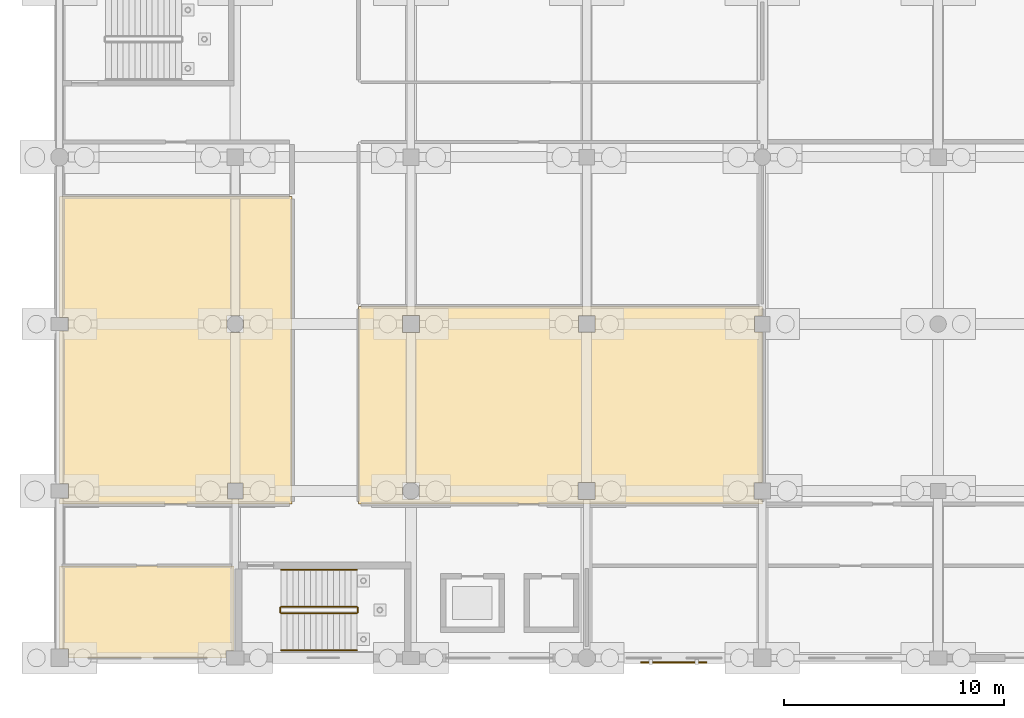
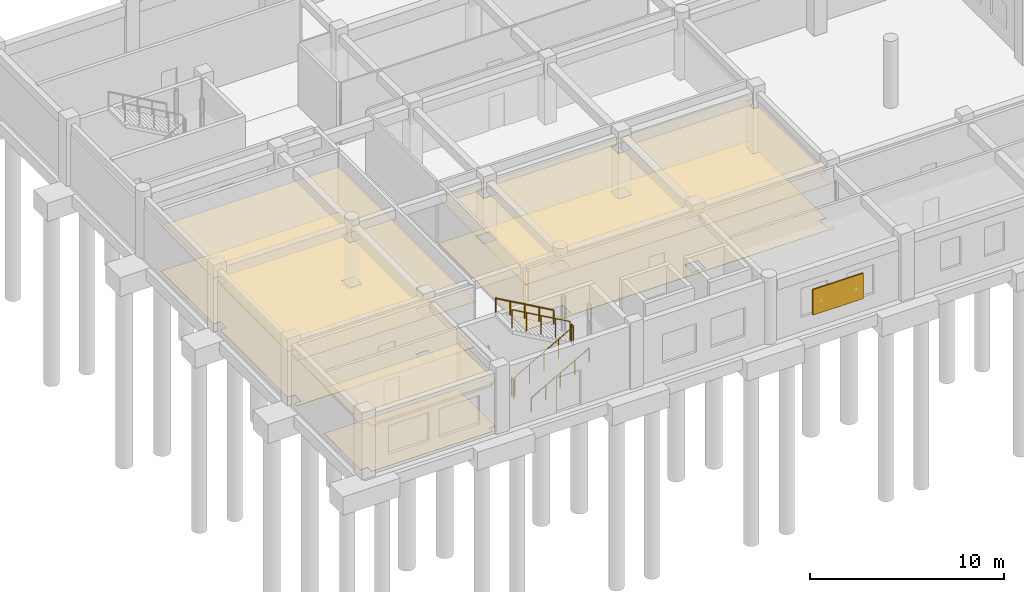
# One storey, part 8 of 11: 6 coverings, 6 railings, 1 shading device.
"""IFC4 building model written with IfcOpenShell, lengths in metres."""

import ifcopenshell
import ifcopenshell.guid

model = None  # the IFC model being written
_history = None  # IfcOwnerHistory: only IFC2X3 demands one
_inside = {}  # id of a spatial element -> (the spatial element, [elements in it])
_under = {}  # id of a project, library or spatial element -> (it, [spatial elements below it])
_declared = {}  # id of a project -> (the project, [libraries it declares])
_typed = {}  # id of a type object -> (the type object, [elements of that type])
_made_of = {}  # id of a material, layer set ... -> (it, [elements and type objects made of it])


def new_model(schema):
    """Start an empty IFC model of exactly this schema.

    Asked for "IFC4X3", IfcOpenShell would pick the latest addendum, in which some entities
    have other attributes; the version numbers below select the first issue.
    IFC2X3 requires an IfcOwnerHistory on every rooted entity: one is made here for all.
    """
    global model, _history
    if schema == "IFC4X3":
        model = ifcopenshell.file(schema_version=(4, 3, 0, 0))
    else:
        model = ifcopenshell.file(schema=schema)
    _inside.clear()
    _under.clear()
    _declared.clear()
    _typed.clear()
    _made_of.clear()
    _history = None
    if model.schema == "IFC2X3":
        org = make("IfcOrganization", Name="unknown")
        user = make(
            "IfcPersonAndOrganization",
            ThePerson=make("IfcPerson", FamilyName="unknown"),
            TheOrganization=org,
        )
        app = make(
            "IfcApplication",
            ApplicationDeveloper=org,
            Version="unknown",
            ApplicationFullName="unknown",
            ApplicationIdentifier="unknown",
        )
        _history = make(
            "IfcOwnerHistory",
            OwningUser=user,
            OwningApplication=app,
            ChangeAction="ADDED",
            CreationDate=0,
        )
    return model


def make(cls, **values):
    """One entity of the class cls with the attributes given. An attribute that is None is left unset."""
    return model.create_entity(
        cls, **{name: value for name, value in values.items() if value is not None}
    )


def rooted(cls, **values):
    """An entity with a GlobalId (a new one), such as an element, a storey or a relation."""
    return make(cls, GlobalId=ifcopenshell.guid.new(), OwnerHistory=_history, **values)


def si_unit(unit_type, name, prefix=None):
    """IfcSIUnit, for example si_unit("LENGTHUNIT", "METRE", prefix="MILLI")."""
    return make("IfcSIUnit", UnitType=unit_type, Prefix=prefix, Name=name)


def assignment(units):
    """IfcUnitAssignment: the units of a project."""
    return None if units is None else make("IfcUnitAssignment", Units=units)


def point(xyz):
    """IfcCartesianPoint."""
    return None if xyz is None else make("IfcCartesianPoint", Coordinates=xyz)


def direction(xyz):
    """IfcDirection."""
    return None if xyz is None else make("IfcDirection", DirectionRatios=xyz)


def frame(location, z_axis=None, x_axis=None):
    """IfcAxis2Placement3D, a coordinate frame: its origin and axes. An axis left out is left unset."""
    return make(
        "IfcAxis2Placement3D",
        Location=point(location),
        Axis=direction(z_axis),
        RefDirection=direction(x_axis),
    )


def frame_2d(location, x_axis=None):
    """IfcAxis2Placement2D, a coordinate frame in the plane: its origin and x axis."""
    return make(
        "IfcAxis2Placement2D", Location=point(location), RefDirection=direction(x_axis)
    )


def origin():
    """The frame at (0, 0, 0) with its axes left unset."""
    return frame((0.0, 0.0, 0.0))


def origin_2d():
    """The frame at (0, 0) in the plane with its x axis left unset."""
    return frame_2d((0.0, 0.0))


def place(relative_to, where):
    """IfcLocalPlacement: puts the frame where relative to a parent placement (None: the world)."""
    return make(
        "IfcLocalPlacement", PlacementRelTo=relative_to, RelativePlacement=where
    )


def context(
    kind, dimensions, precision=None, world=None, true_north=None, identifier=None
):
    """IfcGeometricRepresentationContext, for example the 3D "Model" context."""
    return make(
        "IfcGeometricRepresentationContext",
        ContextIdentifier=identifier,
        ContextType=kind,
        CoordinateSpaceDimension=dimensions,
        Precision=precision,
        WorldCoordinateSystem=world,
        TrueNorth=true_north,
    )


def subcontext(parent, identifier, kind, view, scale=None):
    """IfcGeometricRepresentationSubContext, for example "Body" below "Model"."""
    return make(
        "IfcGeometricRepresentationSubContext",
        ContextIdentifier=identifier,
        ContextType=kind,
        ParentContext=parent,
        TargetScale=scale,
        TargetView=view,
    )


def project(units=None, contexts=None):
    """IfcProject with its units and contexts."""
    return rooted(
        "IfcProject",
        Name="project",
        RepresentationContexts=contexts,
        UnitsInContext=assignment(units),
    )


def spatial(cls, under=None, at=None, **own):
    """A site, building, storey or space (cls), placed at a placement, below another one or the project."""
    s = rooted(cls, ObjectPlacement=at, **own)
    if under is not None:
        _under.setdefault(under.id(), (under, []))[1].append(s)
    return s


def polyline(points):
    """IfcPolyline through the points."""
    return make("IfcPolyline", Points=[point(p) for p in points])


def profile(cls, at=None, kind="AREA", **sizes):
    """A parametric profile (cls). Its sizes go by their IFC names, for example OverallWidth=200.0."""
    return make(cls, ProfileType=kind, Position=at, **sizes)


def rectangle(**sizes):
    """IfcRectangleProfileDef."""
    return profile("IfcRectangleProfileDef", **sizes)


def circle(**sizes):
    """IfcCircleProfileDef."""
    return profile("IfcCircleProfileDef", **sizes)


def outline(outer, holes=None, kind="AREA"):
    """IfcArbitraryClosedProfileDef: a profile drawn as a closed curve; with holes, ...WithVoids."""
    if holes is None:
        return make("IfcArbitraryClosedProfileDef", ProfileType=kind, OuterCurve=outer)
    return make(
        "IfcArbitraryProfileDefWithVoids",
        ProfileType=kind,
        OuterCurve=outer,
        InnerCurves=holes,
    )


def extrude(swept, where, along, depth):
    """IfcExtrudedAreaSolid: the profile swept, set in the frame where, extruded along a direction by depth."""
    return make(
        "IfcExtrudedAreaSolid",
        SweptArea=swept,
        Position=where,
        ExtrudedDirection=direction(along),
        Depth=depth,
    )


def shape(context_of_items, identifier, shape_type, items):
    """IfcShapeRepresentation: the items that make up one representation, for example the "Body"."""
    return make(
        "IfcShapeRepresentation",
        ContextOfItems=context_of_items,
        RepresentationIdentifier=identifier,
        RepresentationType=shape_type,
        Items=items,
    )


def material(Name=None, Category=None):
    """IfcMaterial."""
    return make("IfcMaterial", Name=Name, Category=Category)


def layer(
    of_material, thickness, ventilated=None, Name=None, Category=None, Priority=None
):
    """IfcMaterialLayer: one layer of a wall or slab, of a material (None: an air gap)."""
    return make(
        "IfcMaterialLayer",
        Material=of_material,
        LayerThickness=thickness,
        IsVentilated=ventilated,
        Name=Name,
        Category=Category,
        Priority=Priority,
    )


def layer_set(layers, Name=None):
    """IfcMaterialLayerSet."""
    return make("IfcMaterialLayerSet", MaterialLayers=layers, LayerSetName=Name)


def made_of(thing, what):
    """Note that an element or type object is made of a material, layer set ...; save() writes the relation."""
    if what is not None:
        _made_of.setdefault(what.id(), (what, []))[1].append(thing)
    return thing


def type_object(cls, material=None, **own):
    """A type object (cls), such as IfcWallType, which elements share."""
    return made_of(rooted(cls, **own), material)


def element(
    cls,
    number,
    at=None,
    inside=None,
    cuts=None,
    type_object=None,
    material=None,
    context=None,
    identifier="Body",
    shape_type=None,
    held_by="IfcProductDefinitionShape",
    body=None,
    shapes=None,
    **own,
):
    """One element of the class cls, such as IfcWall. Its Tag is "e" and its number.

    at: its placement. inside: the storey or other place that contains it. cuts: it is an
    opening in that element (IfcRelVoidsElement). A single representation is given by context,
    identifier, shape_type and body (its items); several are given by shapes. held_by: the class
    of the entity that holds the representations. save() writes the other relations.
    """
    e = rooted(cls, Tag="e%d" % number, ObjectPlacement=at, **own)
    if body is not None:
        shapes = [shape(context, identifier, shape_type, body)]
    if shapes is not None:
        e.Representation = make(held_by, Representations=shapes)
    if inside is not None:
        _inside.setdefault(inside.id(), (inside, []))[1].append(e)
    if cuts is not None:
        rooted(
            "IfcRelVoidsElement", RelatingBuildingElement=cuts, RelatedOpeningElement=e
        )
    if type_object is not None:
        _typed.setdefault(type_object.id(), (type_object, []))[1].append(e)
    return made_of(e, material)


def aggregate(whole, parts):
    """IfcRelAggregates: a whole, such as a stair, and the parts it consists of."""
    return rooted("IfcRelAggregates", RelatingObject=whole, RelatedObjects=parts)


def save(model, path):
    """Write the relations noted so far, then the file.

    IfcRelAggregates (storeys below a building ...), IfcRelContainedInSpatialStructure (elements
    in a storey), IfcRelDefinesByType, IfcRelAssociatesMaterial and IfcRelDeclares: one each for
    every whole, place, type object, material and project.
    """
    for whole, parts in _under.values():
        aggregate(whole, parts)
    for where, things in _inside.values():
        rooted(
            "IfcRelContainedInSpatialStructure",
            RelatedElements=things,
            RelatingStructure=where,
        )
    for kind, things in _typed.values():
        rooted("IfcRelDefinesByType", RelatedObjects=things, RelatingType=kind)
    for what, things in _made_of.values():
        rooted("IfcRelAssociatesMaterial", RelatedObjects=things, RelatingMaterial=what)
    for by, libraries in _declared.values():
        rooted("IfcRelDeclares", RelatingContext=by, RelatedDefinitions=libraries)
    model.write(path)


model = new_model("IFC4")

# Units and contexts
model_context = context("Model", 3, precision=1e-05, world=origin(), true_north=direction((0.0, 1.0)))
body_context = subcontext(model_context, "Body", "Model", "MODEL_VIEW")
ifc_project = project(units=[si_unit("LENGTHUNIT", "METRE"), si_unit("AREAUNIT", "SQUARE_METRE"), si_unit("VOLUMEUNIT", "CUBIC_METRE"), si_unit("PLANEANGLEUNIT", "RADIAN"), si_unit("MASSUNIT", "GRAM", prefix="KILO")], contexts=[model_context])

# Site, building, storey
site_placement = place(None, origin())
site = spatial("IfcSite", under=ifc_project, at=site_placement, CompositionType="ELEMENT")
building_placement = place(site_placement, origin())
building = spatial("IfcBuilding", under=site, at=building_placement, Name="Kharva Crest Polytechnic", CompositionType="ELEMENT")
storey_placement = place(building_placement, frame((0.0, 0.0, -4.199951171875)))
storey = spatial("IfcBuildingStorey", under=building, at=storey_placement, Name="LG", CompositionType="ELEMENT", Elevation=-4.199951171875)

# Coverings
ifc_material_1 = material(Name="Acoustic mineral board")
ifc_layer_1 = layer(ifc_material_1, 0.02490234375, Name="Acoustic mineral board")
ifc_layer_set_1 = layer_set([ifc_layer_1], Name="Acoustic mineral board")
covering_type_1 = type_object("IfcCoveringType", Name="COV-CLG-ACOUSTIC", PredefinedType="CEILING", material=ifc_layer_set_1)
covering_1_placement = place(storey_placement, frame((0.0, 0.0, 2.849853515625)))
element("IfcCovering", 1, at=covering_1_placement, inside=storey, type_object=covering_type_1, Name="LG Cold Storage Room Acoustic Ceiling", PredefinedType="CEILING", context=body_context, shape_type="SweptSolid", body=[
    extrude(outline(polyline([(121.2099609375, 0.409912109375), (120.800048828125, 0.409912109375), (120.800048828125, 4.18994140625), (128.75, 4.18994140625), (128.75, 0.3349609375), (128.389892578125, 0.3349609375), (128.389892578125, 0.0), (121.2099609375, 0.0), (121.2099609375, 0.409912109375)])), origin(), (0.0, 0.0, 1.0), 0.025146484375),
])
covering_2_placement = place(storey_placement, frame((0.0, 0.0, 2.849853515625)))
element("IfcCovering", 2, at=covering_2_placement, inside=storey, type_object=covering_type_1, Name="LG Commercial Kitchen Acoustic Ceiling", PredefinedType="CEILING", context=body_context, shape_type="SweptSolid", body=[
    extrude(outline(polyline([(120.800048828125, 7.264892578125), (121.2099609375, 7.264892578125), (121.2099609375, 7.93505859375), (120.800048828125, 7.93505859375), (120.800048828125, 14.889892578125), (121.199951171875, 14.889892578125), (121.199951171875, 15.510009765625), (120.800048828125, 15.510009765625), (120.800048828125, 21.0), (131.389892578125, 21.0), (131.389892578125, 7.010009765625), (120.800048828125, 7.010009765625), (120.800048828125, 7.264892578125)]), holes=[polyline([(129.159912109375, 7.239990234375), (129.159912109375, 7.9599609375), (128.43994140625, 7.9599609375), (128.43994140625, 7.239990234375), (129.159912109375, 7.239990234375)]), polyline([(129.18505859375, 15.5849609375), (128.4150390625, 15.5849609375), (128.4150390625, 14.81494140625), (129.18505859375, 14.81494140625), (129.18505859375, 15.5849609375)])]), origin(), (0.0, 0.0, 1.0), 0.025146484375),
])
covering_3_placement = place(storey_placement, frame((0.0, 0.0, 2.849853515625)))
element("IfcCovering", 3, at=covering_3_placement, inside=storey, type_object=covering_type_1, Name="LG Equipment Store LG Acoustic Ceiling", PredefinedType="CEILING", context=body_context, shape_type="SweptSolid", body=[
    extrude(outline(polyline([(152.800048828125, 16.0), (152.800048828125, 15.56005859375), (152.43994140625, 15.56005859375), (152.43994140625, 14.840087890625), (152.800048828125, 14.840087890625), (152.800048828125, 7.97998046875), (152.419921875, 7.97998046875), (152.419921875, 7.219970703125), (152.800048828125, 7.219970703125), (152.800048828125, 7.010009765625), (134.409912109375, 7.010009765625), (134.409912109375, 16.0), (152.800048828125, 16.0)]), holes=[polyline([(137.18505859375, 7.215087890625), (137.18505859375, 7.985107421875), (136.4150390625, 7.985107421875), (136.4150390625, 7.215087890625), (137.18505859375, 7.215087890625)]), polyline([(145.18994140625, 7.2099609375), (145.18994140625, 7.989990234375), (144.409912109375, 7.989990234375), (144.409912109375, 7.2099609375), (145.18994140625, 7.2099609375)]), polyline([(137.18994140625, 15.590087890625), (136.409912109375, 15.590087890625), (136.409912109375, 14.81005859375), (137.18994140625, 14.81005859375), (137.18994140625, 15.590087890625)]), polyline([(145.179931640625, 15.580078125), (144.419921875, 15.580078125), (144.419921875, 14.820068359375), (145.179931640625, 14.820068359375), (145.179931640625, 15.580078125)])]), origin(), (0.0, 0.0, 1.0), 0.025146484375),
])
ifc_material_2 = material(Name="Terrazzo tile")
ifc_layer_2 = layer(ifc_material_2, 0.02001953125, Name="Terrazzo tile")
ifc_layer_set_2 = layer_set([ifc_layer_2], Name="Terrazzo tile")
covering_type_2 = type_object("IfcCoveringType", Name="COV-FLR-TERRAZZO", PredefinedType="FLOORING", material=ifc_layer_set_2)
covering_4_placement = place(storey_placement, origin())
element("IfcCovering", 4, at=covering_4_placement, inside=storey, type_object=covering_type_2, Name="LG Cold Storage Room Terrazzo Flooring", PredefinedType="FLOORING", context=body_context, shape_type="SweptSolid", body=[
    extrude(outline(polyline([(121.2099609375, 0.409912109375), (120.800048828125, 0.409912109375), (120.800048828125, 4.18994140625), (128.75, 4.18994140625), (128.75, 0.3349609375), (128.389892578125, 0.3349609375), (128.389892578125, 0.0), (121.2099609375, 0.0), (121.2099609375, 0.409912109375)])), origin(), (0.0, 0.0, 1.0), 0.02001953125),
])
covering_5_placement = place(storey_placement, origin())
element("IfcCovering", 5, at=covering_5_placement, inside=storey, type_object=covering_type_2, Name="LG Commercial Kitchen Terrazzo Flooring", PredefinedType="FLOORING", context=body_context, shape_type="SweptSolid", body=[
    extrude(outline(polyline([(120.800048828125, 7.264892578125), (121.2099609375, 7.264892578125), (121.2099609375, 7.93505859375), (120.800048828125, 7.93505859375), (120.800048828125, 14.889892578125), (121.199951171875, 14.889892578125), (121.199951171875, 15.510009765625), (120.800048828125, 15.510009765625), (120.800048828125, 21.0), (131.389892578125, 21.0), (131.389892578125, 7.010009765625), (120.800048828125, 7.010009765625), (120.800048828125, 7.264892578125)]), holes=[polyline([(129.159912109375, 7.239990234375), (129.159912109375, 7.9599609375), (128.43994140625, 7.9599609375), (128.43994140625, 7.239990234375), (129.159912109375, 7.239990234375)]), polyline([(129.18505859375, 15.5849609375), (128.4150390625, 15.5849609375), (128.4150390625, 14.81494140625), (129.18505859375, 14.81494140625), (129.18505859375, 15.5849609375)])]), origin(), (0.0, 0.0, 1.0), 0.02001953125),
])
covering_6_placement = place(storey_placement, origin())
element("IfcCovering", 6, at=covering_6_placement, inside=storey, type_object=covering_type_2, Name="LG Equipment Store LG Terrazzo Flooring", PredefinedType="FLOORING", context=body_context, shape_type="SweptSolid", body=[
    extrude(outline(polyline([(152.800048828125, 16.0), (152.800048828125, 15.56005859375), (152.43994140625, 15.56005859375), (152.43994140625, 14.840087890625), (152.800048828125, 14.840087890625), (152.800048828125, 7.97998046875), (152.419921875, 7.97998046875), (152.419921875, 7.219970703125), (152.800048828125, 7.219970703125), (152.800048828125, 7.010009765625), (134.409912109375, 7.010009765625), (134.409912109375, 16.0), (152.800048828125, 16.0)]), holes=[polyline([(137.18505859375, 7.215087890625), (137.18505859375, 7.985107421875), (136.4150390625, 7.985107421875), (136.4150390625, 7.215087890625), (137.18505859375, 7.215087890625)]), polyline([(145.18994140625, 7.2099609375), (145.18994140625, 7.989990234375), (144.409912109375, 7.989990234375), (144.409912109375, 7.2099609375), (145.18994140625, 7.2099609375)]), polyline([(137.18994140625, 15.590087890625), (136.409912109375, 15.590087890625), (136.409912109375, 14.81005859375), (137.18994140625, 14.81005859375), (137.18994140625, 15.590087890625)]), polyline([(145.179931640625, 15.580078125), (144.419921875, 15.580078125), (144.419921875, 14.820068359375), (145.179931640625, 14.820068359375), (145.179931640625, 15.580078125)])]), origin(), (0.0, 0.0, 1.0), 0.02001953125),
])

# Railings
ifc_material_3 = material(Name="Anodised aluminium", Category="aluminium")
railing_type_1 = type_object("IfcRailingType", Name="RL-STAIR-GUARD-1200", PredefinedType="GUARDRAIL", material=ifc_material_3)
railing_1_placement = place(storey_placement, frame((130.889892578125, 2.030029296875, 0.14990234375)))
element("IfcRailing", 7, at=railing_1_placement, inside=storey, type_object=railing_type_1, Name="LG ST-06 stair guard 1", PredefinedType="GUARDRAIL", context=body_context, shape_type="SweptSolid", body=[
    extrude(circle(Radius=0.02392578125, at=origin_2d()), frame((0.0, 0.0, 1.17578125), z_axis=(0.870266332817, 0.0, 0.492581475459), x_axis=(0.0, 1.0, 0.0)), (0.0, 0.0, 1.0), 3.958740234375),
    extrude(circle(Radius=0.02099609375, at=origin_2d()), origin(), (0.0, 0.0, 1.0), 1.15185546875),
    extrude(circle(Radius=0.02099609375, at=origin_2d()), frame((0.861328125, 0.0, 0.487548828125)), (0.0, 0.0, 1.0), 1.15185546875),
    extrude(circle(Radius=0.02099609375, at=origin_2d()), frame((1.72265625, 0.0, 0.97509765625)), (0.0, 0.0, 1.0), 1.15185546875),
    extrude(circle(Radius=0.02099609375, at=origin_2d()), frame((2.583740234375, 0.0, 1.46240234375)), (0.0, 0.0, 1.0), 1.15185546875),
    extrude(circle(Radius=0.02099609375, at=origin_2d()), frame((3.445068359375, 0.0, 1.949951171875)), (0.0, 0.0, 1.0), 1.15185546875),
])
railing_2_placement = place(storey_placement, frame((134.385009765625, 2.080078125, 2.099853515625)))
element("IfcRailing", 8, at=railing_2_placement, inside=storey, type_object=railing_type_1, Name="LG ST-06 stair guard 2", PredefinedType="GUARDRAIL", context=body_context, shape_type="SweptSolid", body=[
    extrude(circle(Radius=0.02392578125, at=origin_2d()), frame((0.0, 0.0, 1.17578125), z_axis=(0.0, 1.0, 0.0), x_axis=(-1.0, 0.0, 0.0)), (0.0, 0.0, 1.0), 0.199951171875),
    extrude(circle(Radius=0.02099609375, at=origin_2d()), origin(), (0.0, 0.0, 1.0), 1.15185546875),
    extrude(circle(Radius=0.02099609375, at=origin_2d()), frame((0.0, 0.199951171875, 0.0)), (0.0, 0.0, 1.0), 1.15185546875),
])
railing_3_placement = place(storey_placement, frame((134.3349609375, 2.330078125, 2.25)))
element("IfcRailing", 9, at=railing_3_placement, inside=storey, type_object=railing_type_1, Name="LG ST-06 stair guard 3", PredefinedType="GUARDRAIL", context=body_context, shape_type="SweptSolid", body=[
    extrude(circle(Radius=0.02392578125, at=origin_2d()), frame((0.0, 0.0, 1.17578125), z_axis=(-0.870266332817, 0.0, 0.492581475459), x_axis=(0.0, -1.0, 0.0)), (0.0, 0.0, 1.0), 3.958740234375),
    extrude(circle(Radius=0.02099609375, at=origin_2d()), origin(), (0.0, 0.0, 1.0), 1.15185546875),
    extrude(circle(Radius=0.02099609375, at=origin_2d()), frame((-0.861328125, 0.0, 0.487548828125)), (0.0, 0.0, 1.0), 1.15185546875),
    extrude(circle(Radius=0.02099609375, at=origin_2d()), frame((-1.72265625, 0.0, 0.97509765625)), (0.0, 0.0, 1.0), 1.15185546875),
    extrude(circle(Radius=0.02099609375, at=origin_2d()), frame((-2.583740234375, 0.0, 1.46240234375)), (0.0, 0.0, 1.0), 1.15185546875),
    extrude(circle(Radius=0.02099609375, at=origin_2d()), frame((-3.445068359375, 0.0, 1.949951171875)), (0.0, 0.0, 1.0), 1.15185546875),
])
railing_4_placement = place(storey_placement, frame((130.840087890625, 2.080078125, 0.0)))
element("IfcRailing", 10, at=railing_4_placement, inside=storey, type_object=railing_type_1, Name="LG ST-06 stair guard 4", PredefinedType="GUARDRAIL", context=body_context, shape_type="SweptSolid", body=[
    extrude(circle(Radius=0.02392578125, at=origin_2d()), frame((0.0, 0.0, 1.17578125), z_axis=(0.0, 1.0, 0.0), x_axis=(-1.0, 0.0, 0.0)), (0.0, 0.0, 1.0), 0.199951171875),
    extrude(circle(Radius=0.02099609375, at=origin_2d()), origin(), (0.0, 0.0, 1.0), 1.15185546875),
    extrude(circle(Radius=0.02099609375, at=origin_2d()), frame((0.0, 0.199951171875, 0.0)), (0.0, 0.0, 1.0), 1.15185546875),
])
ifc_material_4 = material(Name="Teak timber", Category="wood")
railing_type_2 = type_object("IfcRailingType", Name="RL-STAIR-HAND-900", PredefinedType="HANDRAIL", material=ifc_material_4)
railing_5_placement = place(storey_placement, frame((130.889892578125, 0.35009765625, 0.14990234375)))
element("IfcRailing", 11, at=railing_5_placement, inside=storey, type_object=railing_type_2, Name="LG ST-06 stair handrail 1", PredefinedType="HANDRAIL", context=body_context, shape_type="SweptSolid", body=[
    extrude(circle(Radius=0.02392578125, at=origin_2d()), frame((0.0, 0.0, 0.8759765625), z_axis=(0.870266332817, 0.0, 0.492581475459), x_axis=(0.0, 1.0, 0.0)), (0.0, 0.0, 1.0), 3.958740234375),
    extrude(circle(Radius=0.02099609375, at=origin_2d()), origin(), (0.0, 0.0, 1.0), 0.851806640625),
    extrude(circle(Radius=0.02099609375, at=origin_2d()), frame((0.861328125, 0.0, 0.487548828125)), (0.0, 0.0, 1.0), 0.851806640625),
    extrude(circle(Radius=0.02099609375, at=origin_2d()), frame((1.72265625, 0.0, 0.97509765625)), (0.0, 0.0, 1.0), 0.851806640625),
    extrude(circle(Radius=0.02099609375, at=origin_2d()), frame((2.583740234375, 0.0, 1.46240234375)), (0.0, 0.0, 1.0), 0.851806640625),
    extrude(circle(Radius=0.02099609375, at=origin_2d()), frame((3.445068359375, 0.0, 1.949951171875)), (0.0, 0.0, 1.0), 0.851806640625),
])
railing_6_placement = place(storey_placement, frame((134.3349609375, 4.010009765625, 2.25)))
element("IfcRailing", 12, at=railing_6_placement, inside=storey, type_object=railing_type_2, Name="LG ST-06 stair handrail 2", PredefinedType="HANDRAIL", context=body_context, shape_type="SweptSolid", body=[
    extrude(circle(Radius=0.02392578125, at=origin_2d()), frame((0.0, 0.0, 0.8759765625), z_axis=(-0.870266332817, 0.0, 0.492581475459), x_axis=(0.0, -1.0, 0.0)), (0.0, 0.0, 1.0), 3.958740234375),
    extrude(circle(Radius=0.02099609375, at=origin_2d()), origin(), (0.0, 0.0, 1.0), 0.851806640625),
    extrude(circle(Radius=0.02099609375, at=origin_2d()), frame((-0.861328125, 0.0, 0.487548828125)), (0.0, 0.0, 1.0), 0.851806640625),
    extrude(circle(Radius=0.02099609375, at=origin_2d()), frame((-1.72265625, 0.0, 0.97509765625)), (0.0, 0.0, 1.0), 0.851806640625),
    extrude(circle(Radius=0.02099609375, at=origin_2d()), frame((-2.583740234375, 0.0, 1.46240234375)), (0.0, 0.0, 1.0), 0.851806640625),
    extrude(circle(Radius=0.02099609375, at=origin_2d()), frame((-3.445068359375, 0.0, 1.949951171875)), (0.0, 0.0, 1.0), 0.851806640625),
])

# Shading device
ifc_material_5 = material(Name="Perforated terracotta", Category="masonry")
shading_device_type = type_object("IfcShadingDeviceType", Name="SHD-JAALI-3000X1600", PredefinedType="USERDEFINED", material=ifc_material_5)
shading_device_placement = place(storey_placement, frame((148.7705078125, -0.20556640625, 0.849853515625), z_axis=(0.0, 0.0, 1.0), x_axis=(1.0, 0.0, 0.0)))
element("IfcShadingDevice", 13, at=shading_device_placement, inside=storey, type_object=shading_device_type, Name="LG Terracotta Jaali Solar Screen 1", ObjectType="LOUVRE", PredefinedType="USERDEFINED", context=body_context, shape_type="SweptSolid", body=[
    extrude(rectangle(XDim=3.0, YDim=0.080078125, at=origin_2d()), origin(), (0.0, 0.0, 1.0), 1.60009765625),
])

save(model, "model.ifc")
